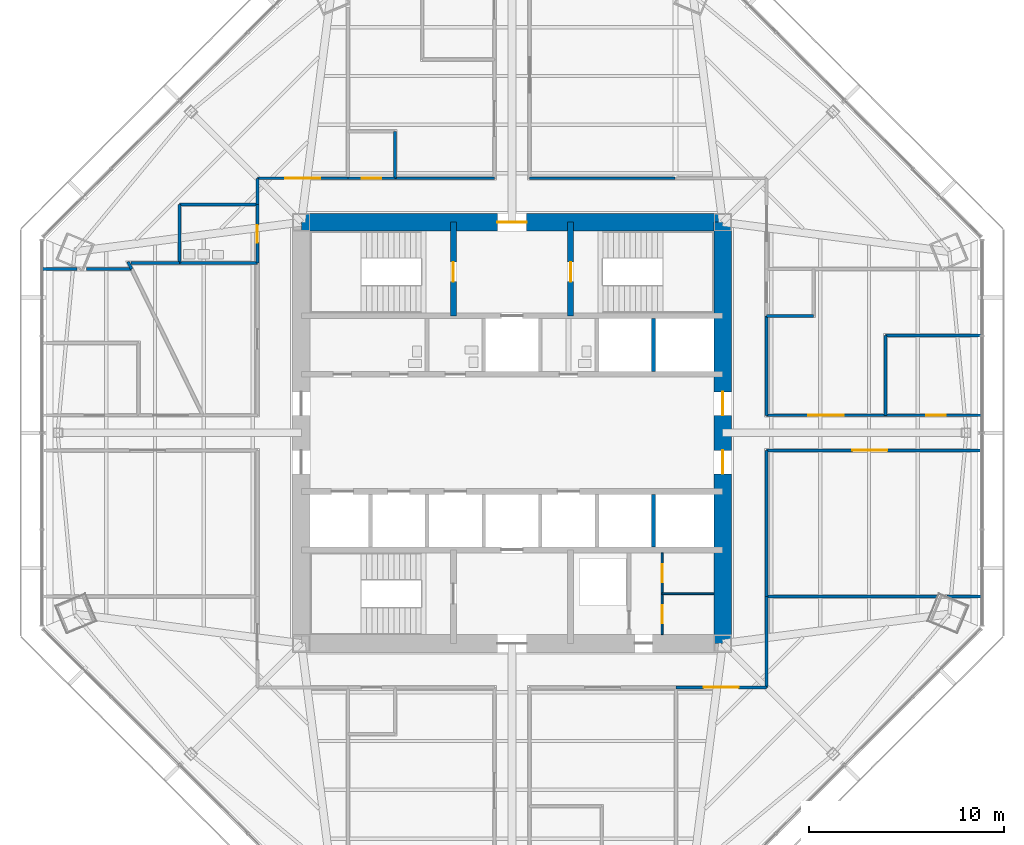
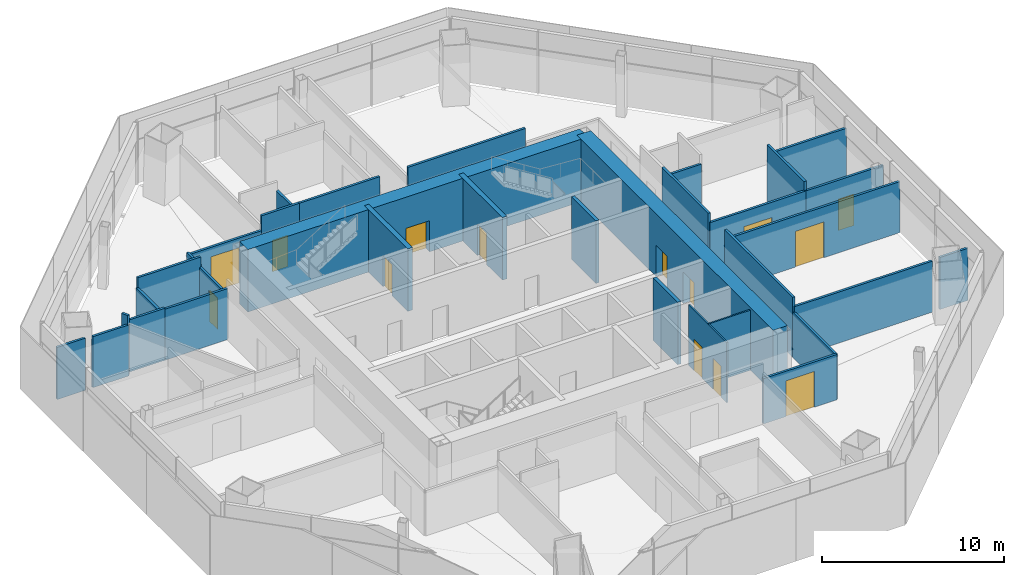
# One storey, part 10 of 14: 34 walls, 14 doors, 14 openings.
"""IFC4 building model written with IfcOpenShell, lengths in metres."""

from ifc_helpers import new_model, si_unit, direction, frame, frame_2d, origin, place, context, subcontext, project, spatial, rectangle, extrude, material, layer, layer_set, type_object, element, fill, save


model = new_model("IFC4")

# Units and contexts
model_context = context("Model", 3, precision=1e-05, world=origin(), true_north=direction((0.0, 1.0)))
body_context = subcontext(model_context, "Body", "Model", "MODEL_VIEW")
ifc_project = project(units=[si_unit("LENGTHUNIT", "METRE"), si_unit("AREAUNIT", "SQUARE_METRE"), si_unit("VOLUMEUNIT", "CUBIC_METRE"), si_unit("PLANEANGLEUNIT", "RADIAN"), si_unit("MASSUNIT", "GRAM", prefix="KILO")], contexts=[model_context])

# Site, building, storey
site_placement = place(None, origin())
site = spatial("IfcSite", under=ifc_project, at=site_placement, CompositionType="ELEMENT")
building_placement = place(site_placement, origin())
building = spatial("IfcBuilding", under=site, at=building_placement, Name="Mashrafa Tower", CompositionType="ELEMENT")
storey_placement = place(building_placement, frame((0.0, 0.0, 138.60009765625)))
storey = spatial("IfcBuildingStorey", under=building, at=storey_placement, Name="L31", CompositionType="ELEMENT", Elevation=138.60009765625)

# Wall, opening, door
ifc_material_1 = material(Name="Concrete C60/75", Category="concrete")
ifc_layer_1 = layer(ifc_material_1, 0.300048828125)
ifc_layer_set_1 = layer_set([ifc_layer_1], Name="Core wall 300 C60/75")
wall_type_1 = type_object("IfcWallType", Name="Core wall 300 C60/75", PredefinedType="SOLIDWALL", material=ifc_layer_set_1)
wall_1_placement = place(storey_placement, frame((-3.0, 6.0, 0.0), z_axis=(0.0, 0.0, 1.0), x_axis=(0.0, 1.0, 0.0)))
wall_1 = element("IfcWall", 1, at=wall_1_placement, inside=storey, type_object=wall_type_1, Name="Core wall CX-NW L31", PredefinedType="SOLIDWALL", context=body_context, shape_type="SweptSolid", body=[
    extrude(rectangle(XDim=4.800048828125, YDim=0.300048828125, at=frame_2d((2.39990234375, 0.0))), origin(), (0.0, 0.0, 1.0), 4.199951171875),
])
opening_1_placement = place(wall_1_placement, frame((1.75, 0.0, 0.0)))
opening_1 = element("IfcOpeningElement", 2, at=opening_1_placement, cuts=wall_1, Name="Opening 31.028", PredefinedType="OPENING", context=body_context, shape_type="SweptSolid", body=[
    extrude(rectangle(XDim=1.0, YDim=2.10009765625, at=frame_2d((0.5, 1.050048828125))), frame((0.0, 0.159912109375, 0.0), z_axis=(0.0, -1.0, 0.0), x_axis=(1.0, 0.0, 0.0)), (0.0, 0.0, 1.0), 0.320068359375),
])
ifc_material_2 = material(Name="Steel door", Category="steel")
door_type_1 = type_object("IfcDoorType", Name="Stair door 1000 x 2100 90 min", OperationType="USERDEFINED", PredefinedType="DOOR", material=ifc_material_2)
door_1_placement = place(opening_1_placement, origin())
door_1 = element("IfcDoor", 3, at=door_1_placement, inside=storey, type_object=door_type_1, Name="Stair S1 door L31", OperationType="SINGLE_SWING_LEFT", OverallHeight=2.10009765625, OverallWidth=1.0, PredefinedType="DOOR", context=body_context, shape_type="SweptSolid", body=[
    extrude(rectangle(XDim=1.0, YDim=2.10009765625, at=frame_2d((0.5, 1.050048828125))), frame((0.0, 0.02490234375, 0.0), z_axis=(0.0, -1.0, 0.0), x_axis=(1.0, 0.0, 0.0)), (0.0, 0.0, 1.0), 0.050048828125),
])
fill(opening_1, door_1)

wall_2_placement = place(storey_placement, frame((3.0, 6.0, 0.0), z_axis=(0.0, 0.0, 1.0), x_axis=(0.0, 1.0, 0.0)))
wall_2 = element("IfcWall", 4, at=wall_2_placement, inside=storey, type_object=wall_type_1, Name="Core wall CX-NE L31", PredefinedType="SOLIDWALL", context=body_context, shape_type="SweptSolid", body=[
    extrude(rectangle(XDim=4.800048828125, YDim=0.300048828125, at=frame_2d((2.39990234375, 0.0))), origin(), (0.0, 0.0, 1.0), 4.199951171875),
])
opening_2_placement = place(wall_2_placement, frame((1.75, 0.0, 0.0)))
opening_2 = element("IfcOpeningElement", 5, at=opening_2_placement, cuts=wall_2, Name="Opening 31.029", PredefinedType="OPENING", context=body_context, shape_type="SweptSolid", body=[
    extrude(rectangle(XDim=1.0, YDim=2.10009765625, at=frame_2d((0.5, 1.050048828125))), frame((0.0, 0.159912109375, 0.0), z_axis=(0.0, -1.0, 0.0), x_axis=(1.0, 0.0, 0.0)), (0.0, 0.0, 1.0), 0.320068359375),
])
door_2_placement = place(opening_2_placement, frame((1.0, 0.0, 0.0), z_axis=(0.0, 0.0, 1.0), x_axis=(-1.0, 0.0, 0.0)))
door_2 = element("IfcDoor", 6, at=door_2_placement, inside=storey, type_object=door_type_1, Name="Stair S2 door L31", OperationType="SINGLE_SWING_RIGHT", OverallHeight=2.10009765625, OverallWidth=1.0, PredefinedType="DOOR", context=body_context, shape_type="SweptSolid", body=[
    extrude(rectangle(XDim=1.0, YDim=2.10009765625, at=frame_2d((0.5, 1.050048828125))), frame((0.0, 0.02490234375, 0.0), z_axis=(0.0, -1.0, 0.0), x_axis=(1.0, 0.0, 0.0)), (0.0, 0.0, 1.0), 0.050048828125),
])
fill(opening_2, door_2)

# Wall, openings, doors
ifc_material_3 = material(Name="Concrete C60/75", Category="concrete")
ifc_layer_2 = layer(ifc_material_3, 0.89990234375)
ifc_layer_set_2 = layer_set([ifc_layer_2], Name="Core wall 900 C60/75")
wall_type_2 = type_object("IfcWallType", Name="Core wall 900 C60/75", PredefinedType="SOLIDWALL", material=ifc_layer_set_2)
wall_3_placement = place(storey_placement, frame((10.800048828125, -10.800048828125, 0.0), z_axis=(0.0, 0.0, 1.0), x_axis=(0.0, 1.0, 0.0)))
wall_3 = element("IfcWall", 7, at=wall_3_placement, inside=storey, type_object=wall_type_2, Name="Core wall CW-E L31", PredefinedType="SOLIDWALL", context=body_context, shape_type="SweptSolid", body=[
    extrude(rectangle(XDim=21.60009765625, YDim=0.89990234375, at=frame_2d((10.800048828125, 0.0))), origin(), (0.0, 0.0, 1.0), 4.199951171875),
])
opening_3_placement = place(wall_3_placement, frame((11.699951171875, 0.0, 0.0)))
opening_3 = element("IfcOpeningElement", 8, at=opening_3_placement, cuts=wall_3, Name="Opening 31.022", PredefinedType="OPENING", context=body_context, shape_type="SweptSolid", body=[
    extrude(rectangle(XDim=1.199951171875, YDim=2.10009765625, at=frame_2d((0.60009765625, 1.050048828125))), frame((0.0, 0.4599609375, 0.0), z_axis=(0.0, -1.0, 0.0), x_axis=(1.0, 0.0, 0.0)), (0.0, 0.0, 1.0), 0.919921875),
])
opening_4_placement = place(wall_3_placement, frame((8.699951171875, 0.0, 0.0)))
opening_4 = element("IfcOpeningElement", 9, at=opening_4_placement, cuts=wall_3, Name="Opening 31.024", PredefinedType="OPENING", context=body_context, shape_type="SweptSolid", body=[
    extrude(rectangle(XDim=1.199951171875, YDim=2.10009765625, at=frame_2d((0.60009765625, 1.050048828125))), frame((0.0, 0.4599609375, 0.0), z_axis=(0.0, -1.0, 0.0), x_axis=(1.0, 0.0, 0.0)), (0.0, 0.0, 1.0), 0.919921875),
])
ifc_material_4 = material(Name="Steel door", Category="steel")
door_type_2 = type_object("IfcDoorType", Name="Lift hall door 1200 x 2100 90 min", OperationType="USERDEFINED", PredefinedType="DOOR", material=ifc_material_4)
door_3_placement = place(opening_3_placement, frame((1.199951171875, 0.0, 0.0), z_axis=(0.0, 0.0, 1.0), x_axis=(-1.0, 0.0, 0.0)))
door_3 = element("IfcDoor", 10, at=door_3_placement, inside=storey, type_object=door_type_2, Name="Lift hall door east L31", OperationType="SINGLE_SWING_LEFT", OverallHeight=2.10009765625, OverallWidth=1.199951171875, PredefinedType="DOOR", context=body_context, shape_type="SweptSolid", body=[
    extrude(rectangle(XDim=1.199951171875, YDim=2.10009765625, at=frame_2d((0.60009765625, 1.050048828125))), frame((0.0, 0.02490234375, 0.0), z_axis=(0.0, -1.0, 0.0), x_axis=(1.0, 0.0, 0.0)), (0.0, 0.0, 1.0), 0.050048828125),
])
fill(opening_3, door_3)
door_4_placement = place(opening_4_placement, frame((1.199951171875, 0.0, 0.0), z_axis=(0.0, 0.0, 1.0), x_axis=(-1.0, 0.0, 0.0)))
door_4 = element("IfcDoor", 11, at=door_4_placement, inside=storey, type_object=door_type_2, Name="Lift hall door east L31", OperationType="SINGLE_SWING_RIGHT", OverallHeight=2.10009765625, OverallWidth=1.199951171875, PredefinedType="DOOR", context=body_context, shape_type="SweptSolid", body=[
    extrude(rectangle(XDim=1.199951171875, YDim=2.10009765625, at=frame_2d((0.60009765625, 1.050048828125))), frame((0.0, 0.02490234375, 0.0), z_axis=(0.0, -1.0, 0.0), x_axis=(1.0, 0.0, 0.0)), (0.0, 0.0, 1.0), 0.050048828125),
])
fill(opening_4, door_4)

# Wall, opening, door
wall_4_placement = place(storey_placement, frame((10.800048828125, 10.800048828125, 0.0), z_axis=(0.0, 0.0, 1.0), x_axis=(-1.0, 0.0, 0.0)))
wall_4 = element("IfcWall", 12, at=wall_4_placement, inside=storey, type_object=wall_type_2, Name="Core wall CW-N L31", PredefinedType="SOLIDWALL", context=body_context, shape_type="SweptSolid", body=[
    extrude(rectangle(XDim=21.60009765625, YDim=0.89990234375, at=frame_2d((10.800048828125, 0.0))), origin(), (0.0, 0.0, 1.0), 4.199951171875),
])
opening_5_placement = place(wall_4_placement, frame((10.050048828125, 0.0, 0.0)))
opening_5 = element("IfcOpeningElement", 13, at=opening_5_placement, cuts=wall_4, Name="Opening 31.026", PredefinedType="OPENING", context=body_context, shape_type="SweptSolid", body=[
    extrude(rectangle(XDim=1.5, YDim=2.10009765625, at=frame_2d((0.75, 1.050048828125))), frame((0.0, 0.4599609375, 0.0), z_axis=(0.0, -1.0, 0.0), x_axis=(1.0, 0.0, 0.0)), (0.0, 0.0, 1.0), 0.919921875),
])
ifc_material_5 = material(Name="Steel door", Category="steel")
door_type_3 = type_object("IfcDoorType", Name="Lobby door pair 1500 x 2100 90 min", OperationType="DOUBLE_DOOR_SINGLE_SWING", PredefinedType="DOOR", material=ifc_material_5)
door_5_placement = place(opening_5_placement, origin())
door_5 = element("IfcDoor", 14, at=door_5_placement, inside=storey, type_object=door_type_3, Name="Fire-fighting lobby F1 door L31", OperationType="DOUBLE_DOOR_SINGLE_SWING", OverallHeight=2.10009765625, OverallWidth=1.5, PredefinedType="DOOR", context=body_context, shape_type="SweptSolid", body=[
    extrude(rectangle(XDim=1.5, YDim=2.10009765625, at=frame_2d((0.75, 1.050048828125))), frame((0.0, 0.02490234375, 0.0), z_axis=(0.0, -1.0, 0.0), x_axis=(1.0, 0.0, 0.0)), (0.0, 0.0, 1.0), 0.050048828125),
])
fill(opening_5, door_5)

ifc_material_6 = material(Name="Gypsum board on steel studs", Category="steel")
ifc_layer_3 = layer(ifc_material_6, 0.14990234375)
ifc_layer_set_3 = layer_set([ifc_layer_3], Name="Corridor partition 150 1 hr")
wall_type_3 = type_object("IfcWallType", Name="Corridor partition 150 1 hr", PredefinedType="PARTITIONING", material=ifc_layer_set_3)
wall_5_placement = place(storey_placement, frame((-13.050048828125, 11.700927734375, 0.0), z_axis=(0.0, 0.0, 1.0), x_axis=(0.0, -1.0, 0.0)))
wall_5 = element("IfcWall", 15, at=wall_5_placement, inside=storey, type_object=wall_type_3, Name="Corridor wall L31-003", PredefinedType="PARTITIONING", context=body_context, shape_type="SweptSolid", body=[
    extrude(rectangle(XDim=3.001953125, YDim=0.14990234375, at=frame_2d((1.5009765625, 0.0))), origin(), (0.0, 0.0, 1.0), 3.0419921875),
])
opening_6_placement = place(wall_5_placement, frame((1.051025390625, 0.0, 0.0)))
opening_6 = element("IfcOpeningElement", 16, at=opening_6_placement, cuts=wall_5, Name="Opening 31.002", PredefinedType="OPENING", context=body_context, shape_type="SweptSolid", body=[
    extrude(rectangle(XDim=0.89990234375, YDim=2.10009765625, at=frame_2d((0.449951171875, 1.050048828125))), frame((0.0, 0.0849609375, 0.0), z_axis=(0.0, -1.0, 0.0), x_axis=(1.0, 0.0, 0.0)), (0.0, 0.0, 1.0), 0.169921875),
])
ifc_material_7 = material(Name="Timber door", Category="wood")
door_type_4 = type_object("IfcDoorType", Name="Toilet door 900 x 2100", OperationType="USERDEFINED", PredefinedType="DOOR", material=ifc_material_7)
door_6_placement = place(opening_6_placement, frame((0.89990234375, 0.0, 0.0), z_axis=(0.0, 0.0, 1.0), x_axis=(-1.0, 0.0, 0.0)))
door_6 = element("IfcDoor", 17, at=door_6_placement, inside=storey, type_object=door_type_4, Name="Ablution Room L31 door", OperationType="SINGLE_SWING_RIGHT", OverallHeight=2.10009765625, OverallWidth=0.89990234375, PredefinedType="DOOR", context=body_context, shape_type="SweptSolid", body=[
    extrude(rectangle(XDim=0.89990234375, YDim=2.10009765625, at=frame_2d((0.449951171875, 1.050048828125))), frame((0.0, 0.02490234375, 0.0), z_axis=(0.0, -1.0, 0.0), x_axis=(1.0, 0.0, 0.0)), (0.0, 0.0, 1.0), 0.050048828125),
])
fill(opening_6, door_6)

wall_6_placement = place(storey_placement, frame((24.077880859375, 0.89990234375, 0.0), z_axis=(0.0, 0.0, 1.0), x_axis=(-1.0, 0.0, 0.0)))
wall_6 = element("IfcWall", 18, at=wall_6_placement, inside=storey, type_object=wall_type_3, Name="Corridor wall L31-004", PredefinedType="PARTITIONING", context=body_context, shape_type="SweptSolid", body=[
    extrude(rectangle(XDim=4.93505859375, YDim=0.14990234375, at=frame_2d((2.467529296875, 0.0))), origin(), (0.0, 0.0, 1.0), 3.425537109375),
])
opening_7_placement = place(wall_6_placement, frame((1.849609375, 0.0, 0.0)))
opening_7 = element("IfcOpeningElement", 19, at=opening_7_placement, cuts=wall_6, Name="Opening 31.003", PredefinedType="OPENING", context=body_context, shape_type="SweptSolid", body=[
    extrude(rectangle(XDim=1.0, YDim=2.10009765625, at=frame_2d((0.5, 1.050048828125))), frame((0.0, 0.0849609375, 0.0), z_axis=(0.0, -1.0, 0.0), x_axis=(1.0, 0.0, 0.0)), (0.0, 0.0, 1.0), 0.169921875),
])
ifc_material_8 = material(Name="Timber door", Category="wood")
door_type_5 = type_object("IfcDoorType", Name="Door 1000 x 2100", OperationType="USERDEFINED", PredefinedType="DOOR", material=ifc_material_8)
door_7_placement = place(opening_7_placement, frame((1.0, 0.0, 0.0), z_axis=(0.0, 0.0, 1.0), x_axis=(-1.0, 0.0, 0.0)))
door_7 = element("IfcDoor", 20, at=door_7_placement, inside=storey, type_object=door_type_5, Name="Meeting Room 31-E door", OperationType="SINGLE_SWING_RIGHT", OverallHeight=2.10009765625, OverallWidth=1.0, PredefinedType="DOOR", context=body_context, shape_type="SweptSolid", body=[
    extrude(rectangle(XDim=1.0, YDim=2.10009765625, at=frame_2d((0.5, 1.050048828125))), frame((0.0, 0.02490234375, 0.0), z_axis=(0.0, -1.0, 0.0), x_axis=(1.0, 0.0, 0.0)), (0.0, 0.0, 1.0), 0.050048828125),
])
fill(opening_7, door_7)

wall_7_placement = place(storey_placement, frame((-5.9990234375, 13.050048828125, 0.0), z_axis=(0.0, 0.0, 1.0), x_axis=(-1.0, 0.0, 0.0)))
wall_7 = element("IfcWall", 21, at=wall_7_placement, inside=storey, type_object=wall_type_3, Name="Corridor wall L31-009", PredefinedType="PARTITIONING", context=body_context, shape_type="SweptSolid", body=[
    extrude(rectangle(XDim=2.40185546875, YDim=0.14990234375, at=frame_2d((1.200927734375, 0.0))), origin(), (0.0, 0.0, 1.0), 4.034912109375),
])
opening_8_placement = place(wall_7_placement, frame((0.700927734375, 0.0, 0.0)))
opening_8 = element("IfcOpeningElement", 22, at=opening_8_placement, cuts=wall_7, Name="Opening 31.008", PredefinedType="OPENING", context=body_context, shape_type="SweptSolid", body=[
    extrude(rectangle(XDim=1.0, YDim=2.10009765625, at=frame_2d((0.5, 1.050048828125))), frame((0.0, 0.0849609375, 0.0), z_axis=(0.0, -1.0, 0.0), x_axis=(1.0, 0.0, 0.0)), (0.0, 0.0, 1.0), 0.169921875),
])
door_8_placement = place(opening_8_placement, frame((1.0, 0.0, 0.0), z_axis=(0.0, 0.0, 1.0), x_axis=(-1.0, 0.0, 0.0)))
door_8 = element("IfcDoor", 23, at=door_8_placement, inside=storey, type_object=door_type_5, Name="Kitchenette 31-N door", OperationType="SINGLE_SWING_RIGHT", OverallHeight=2.10009765625, OverallWidth=1.0, PredefinedType="DOOR", context=body_context, shape_type="SweptSolid", body=[
    extrude(rectangle(XDim=1.0, YDim=2.10009765625, at=frame_2d((0.5, 1.050048828125))), frame((0.0, 0.02490234375, 0.0), z_axis=(0.0, -1.0, 0.0), x_axis=(1.0, 0.0, 0.0)), (0.0, 0.0, 1.0), 0.050048828125),
])
fill(opening_8, door_8)

# Wall
wall_8_placement = place(storey_placement, frame((8.361083984375, 13.050048828125, 0.0), z_axis=(0.0, 0.0, 1.0), x_axis=(-1.0, 0.0, 0.0)))
element("IfcWall", 24, at=wall_8_placement, inside=storey, type_object=wall_type_3, Name="Corridor wall L31-011", PredefinedType="PARTITIONING", context=body_context, shape_type="SweptSolid", body=[
    extrude(rectangle(XDim=7.461181640625, YDim=0.14990234375, at=frame_2d((3.73046875, 0.0))), origin(), (0.0, 0.0, 1.0), 4.034912109375),
])

# Wall, opening, door
wall_9_placement = place(storey_placement, frame((19.14501953125, 0.89990234375, 0.0), z_axis=(0.0, 0.0, 1.0), x_axis=(-1.0, 0.0, 0.0)))
wall_9 = element("IfcWall", 25, at=wall_9_placement, inside=storey, type_object=wall_type_3, Name="Corridor wall L31-013", PredefinedType="PARTITIONING", context=body_context, shape_type="SweptSolid", body=[
    extrude(rectangle(XDim=6.094970703125, YDim=0.14990234375, at=frame_2d((3.04736328125, 0.0))), origin(), (0.0, 0.0, 1.0), 3.425537109375),
])
opening_9_placement = place(wall_9_placement, frame((2.1474609375, 0.0, 0.0)))
opening_9 = element("IfcOpeningElement", 26, at=opening_9_placement, cuts=wall_9, Name="Opening 31.011", PredefinedType="OPENING", context=body_context, shape_type="SweptSolid", body=[
    extrude(rectangle(XDim=1.800048828125, YDim=2.39990234375, at=frame_2d((0.89990234375, 1.199951171875))), frame((0.0, 0.0849609375, 0.0), z_axis=(0.0, -1.0, 0.0), x_axis=(1.0, 0.0, 0.0)), (0.0, 0.0, 1.0), 0.169921875),
])
ifc_material_9 = material(Name="Timber door", Category="wood")
door_type_6 = type_object("IfcDoorType", Name="Door pair 1800 x 2400", OperationType="DOUBLE_DOOR_SINGLE_SWING", PredefinedType="DOOR", material=ifc_material_9)
door_9_placement = place(opening_9_placement, frame((1.800048828125, 0.0, 0.0), z_axis=(0.0, 0.0, 1.0), x_axis=(-1.0, 0.0, 0.0)))
door_9 = element("IfcDoor", 27, at=door_9_placement, inside=storey, type_object=door_type_6, Name="Office Suite 31-NE21 door", OperationType="DOUBLE_DOOR_SINGLE_SWING", OverallHeight=2.39990234375, OverallWidth=1.800048828125, PredefinedType="DOOR", context=body_context, shape_type="SweptSolid", body=[
    extrude(rectangle(XDim=1.800048828125, YDim=2.39990234375, at=frame_2d((0.89990234375, 1.199951171875))), frame((0.0, 0.02490234375, 0.0), z_axis=(0.0, -1.0, 0.0), x_axis=(1.0, 0.0, 0.0)), (0.0, 0.0, 1.0), 0.050048828125),
])
fill(opening_9, door_9)

# Walls
for number, where, z_axis, x_axis, name in (
    (28, (13.050048828125, 0.89990234375, 0.0), (0.0, 0.0, 1.0), (0.0, 1.0, 0.0), "Corridor wall L31-014"),
    (29, (-0.89990234375, 13.050048828125, 0.0), (0.0, 0.0, 1.0), (-1.0, 0.0, 0.0), "Corridor wall L31-018"),
):
    element("IfcWall", number, at=place(storey_placement, frame(where, z_axis=z_axis, x_axis=x_axis)), inside=storey, type_object=wall_type_3, Name=name, PredefinedType="PARTITIONING", context=body_context, shape_type="SweptSolid", body=[
        extrude(rectangle(XDim=5.10107421875, YDim=0.14990234375, at=frame_2d((2.550537109375, 0.0))), origin(), (0.0, 0.0, 1.0), 4.034912109375),
    ])

# Wall, opening, door
wall_10_placement = place(storey_placement, frame((-8.39892578125, 13.050048828125, 0.0), z_axis=(0.0, 0.0, 1.0), x_axis=(-1.0, 0.0, 0.0)))
wall_10 = element("IfcWall", 30, at=wall_10_placement, inside=storey, type_object=wall_type_3, Name="Corridor wall L31-020", PredefinedType="PARTITIONING", context=body_context, shape_type="SweptSolid", body=[
    extrude(rectangle(XDim=4.651123046875, YDim=0.14990234375, at=frame_2d((2.32568359375, 0.0))), origin(), (0.0, 0.0, 1.0), 3.0419921875),
])
opening_10_placement = place(wall_10_placement, frame((1.425537109375, 0.0, 0.0)))
opening_10 = element("IfcOpeningElement", 31, at=opening_10_placement, cuts=wall_10, Name="Opening 31.015", PredefinedType="OPENING", context=body_context, shape_type="SweptSolid", body=[
    extrude(rectangle(XDim=1.800048828125, YDim=2.39990234375, at=frame_2d((0.89990234375, 1.199951171875))), frame((0.0, 0.0849609375, 0.0), z_axis=(0.0, -1.0, 0.0), x_axis=(1.0, 0.0, 0.0)), (0.0, 0.0, 1.0), 0.169921875),
])
door_10_placement = place(opening_10_placement, frame((1.800048828125, 0.0, 0.0), z_axis=(0.0, 0.0, 1.0), x_axis=(-1.0, 0.0, 0.0)))
door_10 = element("IfcDoor", 32, at=door_10_placement, inside=storey, type_object=door_type_6, Name="Office Suite 31-NW22 door", OperationType="DOUBLE_DOOR_SINGLE_SWING", OverallHeight=2.39990234375, OverallWidth=1.800048828125, PredefinedType="DOOR", context=body_context, shape_type="SweptSolid", body=[
    extrude(rectangle(XDim=1.800048828125, YDim=2.39990234375, at=frame_2d((0.89990234375, 1.199951171875))), frame((0.0, 0.02490234375, 0.0), z_axis=(0.0, -1.0, 0.0), x_axis=(1.0, 0.0, 0.0)), (0.0, 0.0, 1.0), 0.050048828125),
])
fill(opening_10, door_10)

# Walls
wall_11_placement = place(storey_placement, frame((-13.050048828125, 13.050048828125, 0.0), z_axis=(0.0, 0.0, 1.0), x_axis=(0.0, -1.0, 0.0)))
element("IfcWall", 33, at=wall_11_placement, inside=storey, type_object=wall_type_3, Name="Corridor wall L31-021", PredefinedType="PARTITIONING", context=body_context, shape_type="SweptSolid", body=[
    extrude(rectangle(XDim=1.35107421875, YDim=0.14990234375, at=frame_2d((0.675537109375, 0.0))), origin(), (0.0, 0.0, 1.0), 3.18408203125),
])
wall_12_placement = place(storey_placement, frame((13.050048828125, -8.40087890625, 0.0), z_axis=(0.0, 0.0, 1.0), x_axis=(0.0, 1.0, 0.0)))
element("IfcWall", 34, at=wall_12_placement, inside=storey, type_object=wall_type_3, Name="Corridor wall L31-030", PredefinedType="PARTITIONING", context=body_context, shape_type="SweptSolid", body=[
    extrude(rectangle(XDim=7.5009765625, YDim=0.14990234375, at=frame_2d((3.75048828125, 0.0))), origin(), (0.0, 0.0, 1.0), 4.034912109375),
])

# Wall, opening, door
wall_13_placement = place(storey_placement, frame((13.050048828125, -0.89990234375, 0.0), z_axis=(0.0, 0.0, 1.0), x_axis=(1.0, 0.0, 0.0)))
wall_13 = element("IfcWall", 35, at=wall_13_placement, inside=storey, type_object=wall_type_3, Name="Corridor wall L31-031", PredefinedType="PARTITIONING", context=body_context, shape_type="SweptSolid", body=[
    extrude(rectangle(XDim=11.02783203125, YDim=0.14990234375, at=frame_2d((5.513916015625, 0.0))), origin(), (0.0, 0.0, 1.0), 3.425537109375),
])
opening_11_placement = place(wall_13_placement, frame((4.39697265625, 0.0, 0.0)))
opening_11 = element("IfcOpeningElement", 36, at=opening_11_placement, cuts=wall_13, Name="Opening 31.020", PredefinedType="OPENING", context=body_context, shape_type="SweptSolid", body=[
    extrude(rectangle(XDim=1.800048828125, YDim=2.39990234375, at=frame_2d((0.89990234375, 1.199951171875))), frame((0.0, 0.0849609375, 0.0), z_axis=(0.0, -1.0, 0.0), x_axis=(1.0, 0.0, 0.0)), (0.0, 0.0, 1.0), 0.169921875),
])
door_11_placement = place(opening_11_placement, frame((1.800048828125, 0.0, 0.0), z_axis=(0.0, 0.0, 1.0), x_axis=(-1.0, 0.0, 0.0)))
door_11 = element("IfcDoor", 37, at=door_11_placement, inside=storey, type_object=door_type_6, Name="Office Suite 31-SE21 door", OperationType="DOUBLE_DOOR_SINGLE_SWING", OverallHeight=2.39990234375, OverallWidth=1.800048828125, PredefinedType="DOOR", context=body_context, shape_type="SweptSolid", body=[
    extrude(rectangle(XDim=1.800048828125, YDim=2.39990234375, at=frame_2d((0.89990234375, 1.199951171875))), frame((0.0, 0.02490234375, 0.0), z_axis=(0.0, -1.0, 0.0), x_axis=(1.0, 0.0, 0.0)), (0.0, 0.0, 1.0), 0.050048828125),
])
fill(opening_11, door_11)

wall_14_placement = place(storey_placement, frame((8.39892578125, -13.050048828125, 0.0), z_axis=(0.0, 0.0, 1.0), x_axis=(1.0, 0.0, 0.0)))
wall_14 = element("IfcWall", 38, at=wall_14_placement, inside=storey, type_object=wall_type_3, Name="Corridor wall L31-032", PredefinedType="PARTITIONING", context=body_context, shape_type="SweptSolid", body=[
    extrude(rectangle(XDim=4.651123046875, YDim=0.14990234375, at=frame_2d((2.32568359375, 0.0))), origin(), (0.0, 0.0, 1.0), 3.0419921875),
])
opening_12_placement = place(wall_14_placement, frame((1.425537109375, 0.0, 0.0)))
opening_12 = element("IfcOpeningElement", 39, at=opening_12_placement, cuts=wall_14, Name="Opening 31.021", PredefinedType="OPENING", context=body_context, shape_type="SweptSolid", body=[
    extrude(rectangle(XDim=1.800048828125, YDim=2.39990234375, at=frame_2d((0.89990234375, 1.199951171875))), frame((0.0, 0.0849609375, 0.0), z_axis=(0.0, -1.0, 0.0), x_axis=(1.0, 0.0, 0.0)), (0.0, 0.0, 1.0), 0.169921875),
])
door_12_placement = place(opening_12_placement, frame((1.800048828125, 0.0, 0.0), z_axis=(0.0, 0.0, 1.0), x_axis=(-1.0, 0.0, 0.0)))
door_12 = element("IfcDoor", 40, at=door_12_placement, inside=storey, type_object=door_type_6, Name="Office Suite 31-SE22 door", OperationType="DOUBLE_DOOR_SINGLE_SWING", OverallHeight=2.39990234375, OverallWidth=1.800048828125, PredefinedType="DOOR", context=body_context, shape_type="SweptSolid", body=[
    extrude(rectangle(XDim=1.800048828125, YDim=2.39990234375, at=frame_2d((0.89990234375, 1.199951171875))), frame((0.0, 0.02490234375, 0.0), z_axis=(0.0, -1.0, 0.0), x_axis=(1.0, 0.0, 0.0)), (0.0, 0.0, 1.0), 0.050048828125),
])
fill(opening_12, door_12)

# Wall
wall_15_placement = place(storey_placement, frame((13.050048828125, -13.050048828125, 0.0), z_axis=(0.0, 0.0, 1.0), x_axis=(0.0, 1.0, 0.0)))
element("IfcWall", 41, at=wall_15_placement, inside=storey, type_object=wall_type_3, Name="Corridor wall L31-033", PredefinedType="PARTITIONING", context=body_context, shape_type="SweptSolid", body=[
    extrude(rectangle(XDim=4.651123046875, YDim=0.14990234375, at=frame_2d((2.32568359375, 0.0))), origin(), (0.0, 0.0, 1.0), 3.0419921875),
])

# Wall, openings, doors
ifc_material_10 = material(Name="Gypsum board on steel studs", Category="steel")
ifc_layer_4 = layer(ifc_material_10, 0.10009765625)
ifc_layer_set_4 = layer_set([ifc_layer_4], Name="Partition 100 1 hr")
wall_type_4 = type_object("IfcWallType", Name="Partition 100 1 hr", PredefinedType="PARTITIONING", material=ifc_layer_set_4)
wall_16_placement = place(storey_placement, frame((7.699951171875, -10.35009765625, 0.0), z_axis=(0.0, 0.0, 1.0), x_axis=(0.0, 1.0, 0.0)))
wall_16 = element("IfcWall", 42, at=wall_16_placement, inside=storey, type_object=wall_type_4, Name="Services lobby partition A L31", PredefinedType="PARTITIONING", context=body_context, shape_type="SweptSolid", body=[
    extrude(rectangle(XDim=4.2001953125, YDim=0.10009765625, at=frame_2d((2.10009765625, 0.0))), origin(), (0.0, 0.0, 1.0), 4.034912109375),
])
opening_13_placement = place(wall_16_placement, frame((2.699951171875, 0.0, 0.0)))
opening_13 = element("IfcOpeningElement", 43, at=opening_13_placement, cuts=wall_16, Name="Opening 31.033", PredefinedType="OPENING", context=body_context, shape_type="SweptSolid", body=[
    extrude(rectangle(XDim=0.89990234375, YDim=2.10009765625, at=frame_2d((0.449951171875, 1.050048828125))), frame((0.0, 0.06005859375, 0.0), z_axis=(0.0, -1.0, 0.0), x_axis=(1.0, 0.0, 0.0)), (0.0, 0.0, 1.0), 0.1201171875),
])
opening_14_placement = place(wall_16_placement, frame((0.60009765625, 0.0, 0.0)))
opening_14 = element("IfcOpeningElement", 44, at=opening_14_placement, cuts=wall_16, Name="Opening 31.034", PredefinedType="OPENING", context=body_context, shape_type="SweptSolid", body=[
    extrude(rectangle(XDim=0.89990234375, YDim=2.10009765625, at=frame_2d((0.449951171875, 1.050048828125))), frame((0.0, 0.06005859375, 0.0), z_axis=(0.0, -1.0, 0.0), x_axis=(1.0, 0.0, 0.0)), (0.0, 0.0, 1.0), 0.1201171875),
])
ifc_material_11 = material(Name="Timber door", Category="wood")
door_type_7 = type_object("IfcDoorType", Name="Store door 900 x 2100", OperationType="USERDEFINED", PredefinedType="DOOR", material=ifc_material_11)
door_13_placement = place(opening_13_placement, frame((0.89990234375, 0.0, 0.0), z_axis=(0.0, 0.0, 1.0), x_axis=(-1.0, 0.0, 0.0)))
door_13 = element("IfcDoor", 45, at=door_13_placement, inside=storey, type_object=door_type_7, Name="Tenant Store L31 door", OperationType="SINGLE_SWING_RIGHT", OverallHeight=2.10009765625, OverallWidth=0.89990234375, PredefinedType="DOOR", context=body_context, shape_type="SweptSolid", body=[
    extrude(rectangle(XDim=0.89990234375, YDim=2.10009765625, at=frame_2d((0.449951171875, 1.050048828125))), frame((0.0, 0.02490234375, 0.0), z_axis=(0.0, -1.0, 0.0), x_axis=(1.0, 0.0, 0.0)), (0.0, 0.0, 1.0), 0.050048828125),
])
fill(opening_13, door_13)
door_14_placement = place(opening_14_placement, frame((0.89990234375, 0.0, 0.0), z_axis=(0.0, 0.0, 1.0), x_axis=(-1.0, 0.0, 0.0)))
door_14 = element("IfcDoor", 46, at=door_14_placement, inside=storey, type_object=door_type_7, Name="Cleaner's Store L31 door", OperationType="SINGLE_SWING_LEFT", OverallHeight=2.10009765625, OverallWidth=0.89990234375, PredefinedType="DOOR", context=body_context, shape_type="SweptSolid", body=[
    extrude(rectangle(XDim=0.89990234375, YDim=2.10009765625, at=frame_2d((0.449951171875, 1.050048828125))), frame((0.0, 0.02490234375, 0.0), z_axis=(0.0, -1.0, 0.0), x_axis=(1.0, 0.0, 0.0)), (0.0, 0.0, 1.0), 0.050048828125),
])
fill(opening_14, door_14)

# Walls
wall_17_placement = place(storey_placement, frame((7.699951171875, -8.25, 0.0), z_axis=(0.0, 0.0, 1.0), x_axis=(1.0, 0.0, 0.0)))
element("IfcWall", 47, at=wall_17_placement, inside=storey, type_object=wall_type_4, Name="Services lobby partition B L31", PredefinedType="PARTITIONING", context=body_context, shape_type="SweptSolid", body=[
    extrude(rectangle(XDim=2.650146484375, YDim=0.10009765625, at=frame_2d((1.3251953125, 0.0))), origin(), (0.0, 0.0, 1.0), 4.034912109375),
])
ifc_material_12 = material(Name="Gypsum board on steel studs", Category="steel")
ifc_layer_5 = layer(ifc_material_12, 0.14990234375)
ifc_layer_set_5 = layer_set([ifc_layer_5], Name="Partition 150")
wall_type_5 = type_object("IfcWallType", Name="Partition 150", PredefinedType="PARTITIONING", material=ifc_layer_set_5)
wall_18_placement = place(storey_placement, frame((-13.050048828125, 8.699951171875, 0.0), z_axis=(0.0, 0.0, 1.0), x_axis=(-1.0, 0.0, 0.0)))
element("IfcWall", 48, at=wall_18_placement, inside=storey, type_object=wall_type_5, Name="Partition wall L31-034", PredefinedType="PARTITIONING", context=body_context, shape_type="SweptSolid", body=[
    extrude(rectangle(XDim=4.0009765625, YDim=0.14990234375, at=frame_2d((2.00048828125, 0.0))), origin(), (0.0, 0.0, 1.0), 3.425537109375),
])
wall_19_placement = place(storey_placement, frame((-17.049072265625, 8.699951171875, 0.0), z_axis=(0.0, 0.0, 1.0), x_axis=(-1.0, 0.0, 0.0)))
element("IfcWall", 49, at=wall_19_placement, inside=storey, type_object=wall_type_5, Name="Partition wall L31-036", PredefinedType="PARTITIONING", context=body_context, shape_type="SweptSolid", body=[
    extrude(rectangle(XDim=2.48095703125, YDim=0.14990234375, at=frame_2d((1.240478515625, 0.0))), origin(), (0.0, 0.0, 1.0), 3.4990234375),
])
wall_20_placement = place(storey_placement, frame((-19.682861328125, 8.767333984375, 0.0), z_axis=(0.0, 0.0, 1.0), x_axis=(0.438376691605, -0.898791341891, 0.0)))
element("IfcWall", 50, at=wall_20_placement, inside=storey, type_object=wall_type_5, Name="Partition wall L31-037", PredefinedType="PARTITIONING", context=body_context, shape_type="SweptSolid", body=[
    extrude(rectangle(XDim=0.409912109375, YDim=0.14990234375, at=frame_2d((0.205078125, 0.0))), origin(), (0.0, 0.0, 1.0), 4.034912109375),
])
wall_21_placement = place(storey_placement, frame((-13.050048828125, 11.699951171875, 0.0), z_axis=(0.0, 0.0, 1.0), x_axis=(-1.0, 0.0, 0.0)))
element("IfcWall", 51, at=wall_21_placement, inside=storey, type_object=wall_type_5, Name="Partition wall L31-038", PredefinedType="PARTITIONING", context=body_context, shape_type="SweptSolid", body=[
    extrude(rectangle(XDim=4.0, YDim=0.14990234375, at=frame_2d((2.0, 0.0))), origin(), (0.0, 0.0, 1.0), 3.715087890625),
])
wall_22_placement = place(storey_placement, frame((-17.050048828125, 11.699951171875, 0.0), z_axis=(0.0, 0.0, 1.0), x_axis=(0.0, -1.0, 0.0)))
element("IfcWall", 52, at=wall_22_placement, inside=storey, type_object=wall_type_5, Name="Partition wall L31-039", PredefinedType="PARTITIONING", context=body_context, shape_type="SweptSolid", body=[
    extrude(rectangle(XDim=3.0, YDim=0.14990234375, at=frame_2d((1.5, 0.0))), origin(), (0.0, 0.0, 1.0), 3.0419921875),
])
wall_23_placement = place(storey_placement, frame((24.075927734375, 5.0, 0.0), z_axis=(0.0, 0.0, 1.0), x_axis=(-1.0, 0.0, 0.0)))
element("IfcWall", 53, at=wall_23_placement, inside=storey, type_object=wall_type_5, Name="Partition wall L31-040", PredefinedType="PARTITIONING", context=body_context, shape_type="SweptSolid", body=[
    extrude(rectangle(XDim=4.93212890625, YDim=0.14990234375, at=frame_2d((2.466064453125, 0.0))), origin(), (0.0, 0.0, 1.0), 3.425537109375),
])
wall_24_placement = place(storey_placement, frame((19.143798828125, 5.0, 0.0), z_axis=(0.0, 0.0, 1.0), x_axis=(0.0, -1.0, 0.0)))
element("IfcWall", 54, at=wall_24_placement, inside=storey, type_object=wall_type_5, Name="Partition wall L31-041", PredefinedType="PARTITIONING", context=body_context, shape_type="SweptSolid", body=[
    extrude(rectangle(XDim=4.10009765625, YDim=0.14990234375, at=frame_2d((2.050048828125, 0.0))), origin(), (0.0, 0.0, 1.0), 4.034912109375),
])
for number, where, z_axis, x_axis, name in (
    (55, (13.050048828125, 6.0, 0.0), (0.0, 0.0, 1.0), (1.0, 0.0, 0.0), "Partition wall L31-048"),
    (56, (-6.0, 13.050048828125, 0.0), (0.0, 0.0, 1.0), (0.0, 1.0, 0.0), "Partition wall L31-051"),
):
    element("IfcWall", number, at=place(storey_placement, frame(where, z_axis=z_axis, x_axis=x_axis)), inside=storey, type_object=wall_type_5, Name=name, PredefinedType="PARTITIONING", context=body_context, shape_type="SweptSolid", body=[
        extrude(rectangle(XDim=2.39990234375, YDim=0.14990234375, at=frame_2d((1.199951171875, 0.0))), origin(), (0.0, 0.0, 1.0), 3.425537109375),
    ])
wall_25_placement = place(storey_placement, frame((-19.503662109375, 8.39990234375, 0.0), z_axis=(0.0, 0.0, 1.0), x_axis=(-1.0, 0.0, 0.0)))
element("IfcWall", 57, at=wall_25_placement, inside=storey, type_object=wall_type_5, Name="Partition wall L31-061", PredefinedType="PARTITIONING", context=body_context, shape_type="SweptSolid", body=[
    extrude(rectangle(XDim=2.306640625, YDim=0.14990234375, at=frame_2d((1.1533203125, 0.0))), origin(), (0.0, 0.0, 1.0), 3.425537109375),
])
wall_26_placement = place(storey_placement, frame((-22.288818359375, 8.39990234375, 0.0), z_axis=(0.0, 0.0, 1.0), x_axis=(-1.0, 0.0, 0.0)))
element("IfcWall", 58, at=wall_26_placement, inside=storey, type_object=wall_type_5, Name="Partition wall L31-062", PredefinedType="PARTITIONING", context=body_context, shape_type="SweptSolid", body=[
    extrude(rectangle(XDim=1.787109375, YDim=0.14990234375, at=frame_2d((0.8935546875, 0.0))), origin(), (0.0, 0.0, 1.0), 3.4990234375),
])
wall_27_placement = place(storey_placement, frame((13.050048828125, -8.39990234375, 0.0), z_axis=(0.0, 0.0, 1.0), x_axis=(1.0, 0.0, 0.0)))
element("IfcWall", 59, at=wall_27_placement, inside=storey, type_object=wall_type_5, Name="Partition wall L31-069", PredefinedType="PARTITIONING", context=body_context, shape_type="SweptSolid", body=[
    extrude(rectangle(XDim=8.76025390625, YDim=0.14990234375, at=frame_2d((4.380126953125, 0.0))), origin(), (0.0, 0.0, 1.0), 3.425537109375),
])
wall_28_placement = place(storey_placement, frame((22.288818359375, -8.39990234375, 0.0), z_axis=(0.0, 0.0, 1.0), x_axis=(1.0, 0.0, 0.0)))
element("IfcWall", 60, at=wall_28_placement, inside=storey, type_object=wall_type_5, Name="Partition wall L31-070", PredefinedType="PARTITIONING", context=body_context, shape_type="SweptSolid", body=[
    extrude(rectangle(XDim=1.787109375, YDim=0.14990234375, at=frame_2d((0.8935546875, 0.0))), origin(), (0.0, 0.0, 1.0), 3.4990234375),
])
ifc_material_13 = material(Name="Gypsum shaft wall on steel studs", Category="steel")
ifc_layer_6 = layer(ifc_material_13, 0.199951171875)
ifc_layer_set_6 = layer_set([ifc_layer_6], Name="Shaft divider wall 200 2 hr")
wall_type_6 = type_object("IfcWallType", Name="Shaft divider wall 200 2 hr", PredefinedType="PARTITIONING", material=ifc_layer_set_6)
for number, where, z_axis, x_axis, name in (
    (61, (7.25, 3.14990234375, 0.0), (0.0, 0.0, 1.0), (0.0, 1.0, 0.0), "Shaft divider wall N6 L31"),
    (62, (7.25, -5.85009765625, 0.0), (0.0, 0.0, 1.0), (0.0, 1.0, 0.0), "Shaft divider wall S6 L31"),
):
    element("IfcWall", number, at=place(storey_placement, frame(where, z_axis=z_axis, x_axis=x_axis)), inside=storey, type_object=wall_type_6, Name=name, PredefinedType="PARTITIONING", context=body_context, shape_type="SweptSolid", body=[
        extrude(rectangle(XDim=2.7001953125, YDim=0.199951171875, at=frame_2d((1.35009765625, 0.0))), origin(), (0.0, 0.0, 1.0), 4.199951171875),
    ])

save(model, "model.ifc")
